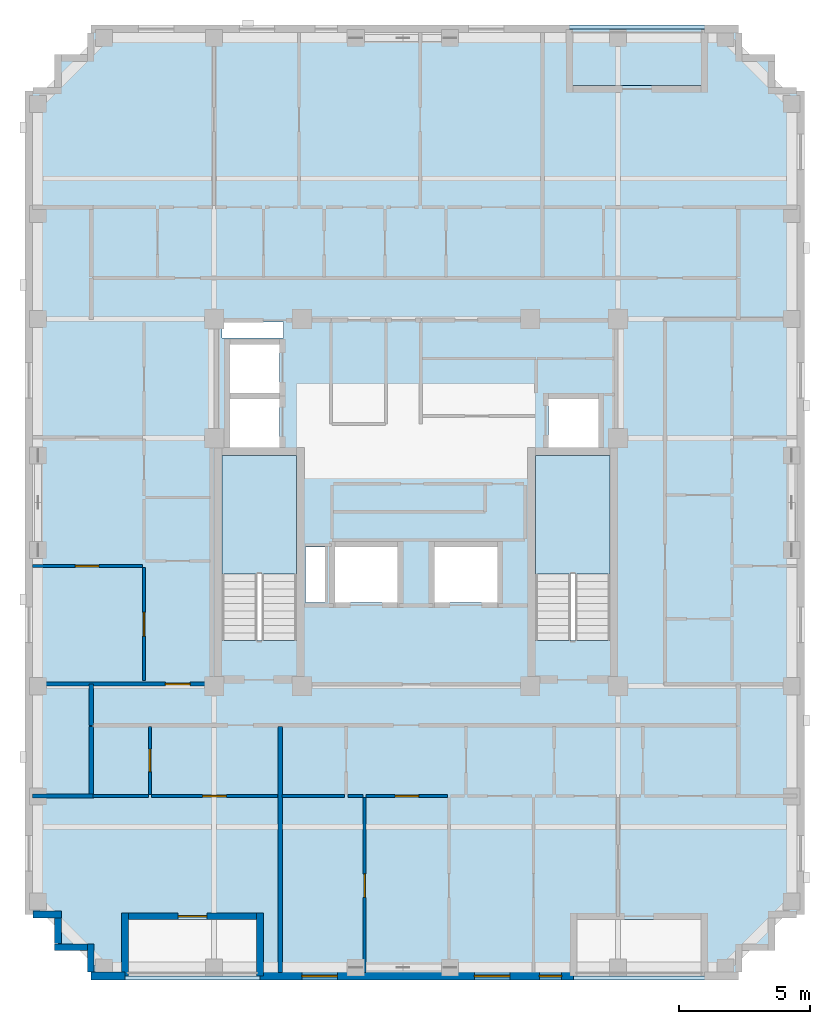
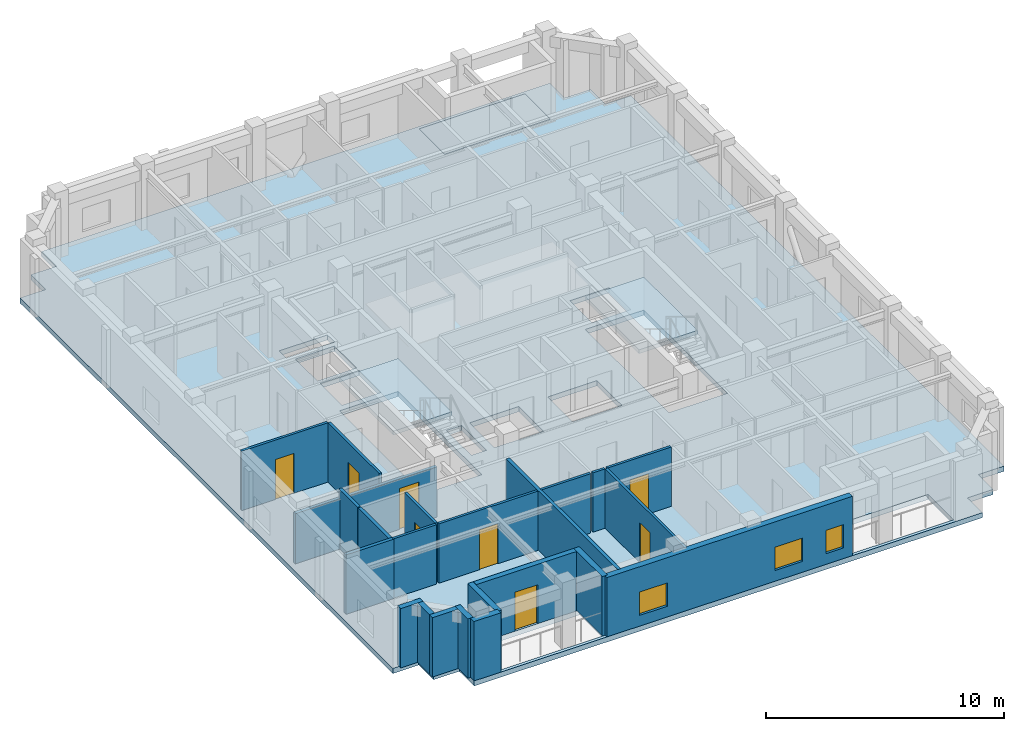
# One storey, part 2 of 11: 23 walls, 8 doors, 4 slabs, 3 windows, 11 openings, 2 elements without a shape of their own.
"""IFC4 building model written with IfcOpenShell, lengths in metres."""

import ifcopenshell
import ifcopenshell.guid

model = None  # the IFC model being written
_history = None  # IfcOwnerHistory: only IFC2X3 demands one
_inside = {}  # id of a spatial element -> (the spatial element, [elements in it])
_under = {}  # id of a project, library or spatial element -> (it, [spatial elements below it])
_declared = {}  # id of a project -> (the project, [libraries it declares])
_typed = {}  # id of a type object -> (the type object, [elements of that type])
_made_of = {}  # id of a material, layer set ... -> (it, [elements and type objects made of it])


def new_model(schema):
    """Start an empty IFC model of exactly this schema.

    Asked for "IFC4X3", IfcOpenShell would pick the latest addendum, in which some entities
    have other attributes; the version numbers below select the first issue.
    IFC2X3 requires an IfcOwnerHistory on every rooted entity: one is made here for all.
    """
    global model, _history
    if schema == "IFC4X3":
        model = ifcopenshell.file(schema_version=(4, 3, 0, 0))
    else:
        model = ifcopenshell.file(schema=schema)
    _inside.clear()
    _under.clear()
    _declared.clear()
    _typed.clear()
    _made_of.clear()
    _history = None
    if model.schema == "IFC2X3":
        org = make("IfcOrganization", Name="unknown")
        user = make(
            "IfcPersonAndOrganization",
            ThePerson=make("IfcPerson", FamilyName="unknown"),
            TheOrganization=org,
        )
        app = make(
            "IfcApplication",
            ApplicationDeveloper=org,
            Version="unknown",
            ApplicationFullName="unknown",
            ApplicationIdentifier="unknown",
        )
        _history = make(
            "IfcOwnerHistory",
            OwningUser=user,
            OwningApplication=app,
            ChangeAction="ADDED",
            CreationDate=0,
        )
    return model


def make(cls, **values):
    """One entity of the class cls with the attributes given. An attribute that is None is left unset."""
    return model.create_entity(
        cls, **{name: value for name, value in values.items() if value is not None}
    )


def rooted(cls, **values):
    """An entity with a GlobalId (a new one), such as an element, a storey or a relation."""
    return make(cls, GlobalId=ifcopenshell.guid.new(), OwnerHistory=_history, **values)


def si_unit(unit_type, name, prefix=None):
    """IfcSIUnit, for example si_unit("LENGTHUNIT", "METRE", prefix="MILLI")."""
    return make("IfcSIUnit", UnitType=unit_type, Prefix=prefix, Name=name)


def derived_unit(unit_type, elements):
    """IfcDerivedUnit: a product of units, each with its exponent."""
    return make(
        "IfcDerivedUnit",
        Elements=[
            make("IfcDerivedUnitElement", Unit=unit, Exponent=power)
            for unit, power in elements
        ],
        UnitType=unit_type,
    )


def assignment(units):
    """IfcUnitAssignment: the units of a project."""
    return None if units is None else make("IfcUnitAssignment", Units=units)


def point(xyz):
    """IfcCartesianPoint."""
    return None if xyz is None else make("IfcCartesianPoint", Coordinates=xyz)


def direction(xyz):
    """IfcDirection."""
    return None if xyz is None else make("IfcDirection", DirectionRatios=xyz)


def frame(location, z_axis=None, x_axis=None):
    """IfcAxis2Placement3D, a coordinate frame: its origin and axes. An axis left out is left unset."""
    return make(
        "IfcAxis2Placement3D",
        Location=point(location),
        Axis=direction(z_axis),
        RefDirection=direction(x_axis),
    )


def frame_2d(location, x_axis=None):
    """IfcAxis2Placement2D, a coordinate frame in the plane: its origin and x axis."""
    return make(
        "IfcAxis2Placement2D", Location=point(location), RefDirection=direction(x_axis)
    )


def origin():
    """The frame at (0, 0, 0) with its axes left unset."""
    return frame((0.0, 0.0, 0.0))


def place(relative_to, where):
    """IfcLocalPlacement: puts the frame where relative to a parent placement (None: the world)."""
    return make(
        "IfcLocalPlacement", PlacementRelTo=relative_to, RelativePlacement=where
    )


def context(
    kind, dimensions, precision=None, world=None, true_north=None, identifier=None
):
    """IfcGeometricRepresentationContext, for example the 3D "Model" context."""
    return make(
        "IfcGeometricRepresentationContext",
        ContextIdentifier=identifier,
        ContextType=kind,
        CoordinateSpaceDimension=dimensions,
        Precision=precision,
        WorldCoordinateSystem=world,
        TrueNorth=true_north,
    )


def subcontext(parent, identifier, kind, view, scale=None):
    """IfcGeometricRepresentationSubContext, for example "Body" below "Model"."""
    return make(
        "IfcGeometricRepresentationSubContext",
        ContextIdentifier=identifier,
        ContextType=kind,
        ParentContext=parent,
        TargetScale=scale,
        TargetView=view,
    )


def project(units=None, contexts=None):
    """IfcProject with its units and contexts."""
    return rooted(
        "IfcProject",
        Name="project",
        RepresentationContexts=contexts,
        UnitsInContext=assignment(units),
    )


def spatial(cls, under=None, at=None, **own):
    """A site, building, storey or space (cls), placed at a placement, below another one or the project."""
    s = rooted(cls, ObjectPlacement=at, **own)
    if under is not None:
        _under.setdefault(under.id(), (under, []))[1].append(s)
    return s


def polyline(points):
    """IfcPolyline through the points."""
    return make("IfcPolyline", Points=[point(p) for p in points])


def profile(cls, at=None, kind="AREA", **sizes):
    """A parametric profile (cls). Its sizes go by their IFC names, for example OverallWidth=200.0."""
    return make(cls, ProfileType=kind, Position=at, **sizes)


def rectangle(**sizes):
    """IfcRectangleProfileDef."""
    return profile("IfcRectangleProfileDef", **sizes)


def outline(outer, holes=None, kind="AREA"):
    """IfcArbitraryClosedProfileDef: a profile drawn as a closed curve; with holes, ...WithVoids."""
    if holes is None:
        return make("IfcArbitraryClosedProfileDef", ProfileType=kind, OuterCurve=outer)
    return make(
        "IfcArbitraryProfileDefWithVoids",
        ProfileType=kind,
        OuterCurve=outer,
        InnerCurves=holes,
    )


def extrude(swept, where, along, depth):
    """IfcExtrudedAreaSolid: the profile swept, set in the frame where, extruded along a direction by depth."""
    return make(
        "IfcExtrudedAreaSolid",
        SweptArea=swept,
        Position=where,
        ExtrudedDirection=direction(along),
        Depth=depth,
    )


def shape(context_of_items, identifier, shape_type, items):
    """IfcShapeRepresentation: the items that make up one representation, for example the "Body"."""
    return make(
        "IfcShapeRepresentation",
        ContextOfItems=context_of_items,
        RepresentationIdentifier=identifier,
        RepresentationType=shape_type,
        Items=items,
    )


def material(Name=None, Category=None):
    """IfcMaterial."""
    return make("IfcMaterial", Name=Name, Category=Category)


def layer(
    of_material, thickness, ventilated=None, Name=None, Category=None, Priority=None
):
    """IfcMaterialLayer: one layer of a wall or slab, of a material (None: an air gap)."""
    return make(
        "IfcMaterialLayer",
        Material=of_material,
        LayerThickness=thickness,
        IsVentilated=ventilated,
        Name=Name,
        Category=Category,
        Priority=Priority,
    )


def layer_set(layers, Name=None):
    """IfcMaterialLayerSet."""
    return make("IfcMaterialLayerSet", MaterialLayers=layers, LayerSetName=Name)


def made_of(thing, what):
    """Note that an element or type object is made of a material, layer set ...; save() writes the relation."""
    if what is not None:
        _made_of.setdefault(what.id(), (what, []))[1].append(thing)
    return thing


def type_object(cls, material=None, **own):
    """A type object (cls), such as IfcWallType, which elements share."""
    return made_of(rooted(cls, **own), material)


def element(
    cls,
    number,
    at=None,
    inside=None,
    cuts=None,
    type_object=None,
    material=None,
    context=None,
    identifier="Body",
    shape_type=None,
    held_by="IfcProductDefinitionShape",
    body=None,
    shapes=None,
    **own,
):
    """One element of the class cls, such as IfcWall. Its Tag is "e" and its number.

    at: its placement. inside: the storey or other place that contains it. cuts: it is an
    opening in that element (IfcRelVoidsElement). A single representation is given by context,
    identifier, shape_type and body (its items); several are given by shapes. held_by: the class
    of the entity that holds the representations. save() writes the other relations.
    """
    e = rooted(cls, Tag="e%d" % number, ObjectPlacement=at, **own)
    if body is not None:
        shapes = [shape(context, identifier, shape_type, body)]
    if shapes is not None:
        e.Representation = make(held_by, Representations=shapes)
    if inside is not None:
        _inside.setdefault(inside.id(), (inside, []))[1].append(e)
    if cuts is not None:
        rooted(
            "IfcRelVoidsElement", RelatingBuildingElement=cuts, RelatedOpeningElement=e
        )
    if type_object is not None:
        _typed.setdefault(type_object.id(), (type_object, []))[1].append(e)
    return made_of(e, material)


def fill(opening, filler):
    """IfcRelFillsElement: the door or window that sits in an opening."""
    return rooted(
        "IfcRelFillsElement",
        RelatingOpeningElement=opening,
        RelatedBuildingElement=filler,
    )


def aggregate(whole, parts):
    """IfcRelAggregates: a whole, such as a stair, and the parts it consists of."""
    return rooted("IfcRelAggregates", RelatingObject=whole, RelatedObjects=parts)


def save(model, path):
    """Write the relations noted so far, then the file.

    IfcRelAggregates (storeys below a building ...), IfcRelContainedInSpatialStructure (elements
    in a storey), IfcRelDefinesByType, IfcRelAssociatesMaterial and IfcRelDeclares: one each for
    every whole, place, type object, material and project.
    """
    for whole, parts in _under.values():
        aggregate(whole, parts)
    for where, things in _inside.values():
        rooted(
            "IfcRelContainedInSpatialStructure",
            RelatedElements=things,
            RelatingStructure=where,
        )
    for kind, things in _typed.values():
        rooted("IfcRelDefinesByType", RelatedObjects=things, RelatingType=kind)
    for what, things in _made_of.values():
        rooted("IfcRelAssociatesMaterial", RelatedObjects=things, RelatingMaterial=what)
    for by, libraries in _declared.values():
        rooted("IfcRelDeclares", RelatingContext=by, RelatedDefinitions=libraries)
    model.write(path)


model = new_model("IFC4")

# Units and contexts
model_context = context("Model", 3, precision=1e-05, world=origin(), true_north=direction((0.0, 1.0)))
body_context = subcontext(model_context, "Body", "Model", "MODEL_VIEW")
ifc_project = project(units=[si_unit("LENGTHUNIT", "METRE"), si_unit("AREAUNIT", "SQUARE_METRE"), si_unit("VOLUMEUNIT", "CUBIC_METRE"), si_unit("PLANEANGLEUNIT", "RADIAN"), si_unit("MASSUNIT", "GRAM", prefix="KILO"), derived_unit("THERMALTRANSMITTANCEUNIT", [(si_unit("MASSUNIT", "GRAM", prefix="KILO"), 1), (si_unit("TIMEUNIT", "SECOND"), -3), (si_unit("THERMODYNAMICTEMPERATUREUNIT", "KELVIN"), -1)])], contexts=[model_context])

# Site, building, storey
site_placement = place(None, origin())
site = spatial("IfcSite", under=ifc_project, at=site_placement, CompositionType="ELEMENT")
building_placement = place(site_placement, origin())
building = spatial("IfcBuilding", under=site, at=building_placement, Name="Korrvale Station Residences", CompositionType="ELEMENT")
storey_placement = place(building_placement, frame((0.0, 0.0, 258.10009765625)))
storey = spatial("IfcBuildingStorey", under=building, at=storey_placement, Name="L75", CompositionType="ELEMENT", Elevation=258.10009765625)

# Slabs
ifc_material_1 = material(Name="Concrete C50/60", Category="concrete")
ifc_layer_1 = layer(ifc_material_1, 0.219970703125, Name="Concrete C50/60")
ifc_layer_set_1 = layer_set([ifc_layer_1], Name="Concrete C50/60")
slab_type_1 = type_object("IfcSlabType", Name="SLB-BAL-220", PredefinedType="FLOOR", material=ifc_layer_set_1)
slab_1_placement = place(storey_placement, frame((0.0, 0.0, -0.22021484375)))
element("IfcSlab", 1, at=slab_1_placement, inside=storey, type_object=slab_type_1, Name="L75 Recessed Loggia Balcony Slab BAL-L75-N1", PredefinedType="FLOOR", context=body_context, shape_type="SweptSolid", body=[
    extrude(outline(polyline([(31.35009765625, 37.89990234375), (36.5, 37.89990234375), (36.5, 40.050048828125), (31.35009765625, 40.050048828125), (31.35009765625, 37.89990234375)])), origin(), (0.0, 0.0, 1.0), 0.22021484375),
])
ifc_layer_2 = layer(ifc_material_1, 0.260009765625, Name="Concrete C50/60")
ifc_layer_set_2 = layer_set([ifc_layer_2], Name="Concrete C50/60")
slab_type_2 = type_object("IfcSlabType", Name="SLB-FLR-260", PredefinedType="FLOOR", material=ifc_layer_set_2)
slab_2_placement = place(storey_placement, frame((0.0, 0.0, -0.260009765625)))
element("IfcSlab", 2, at=slab_2_placement, inside=storey, type_object=slab_type_2, Name="L75 Suspended Structural Floor Slab", PredefinedType="FLOOR", context=body_context, shape_type="SweptSolid", body=[
    extrude(outline(polyline([(13.10009765625, 3.800048828125), (37.800048828125, 3.800048828125), (37.800048828125, 5.050048828125), (39.050048828125, 5.050048828125), (39.050048828125, 6.300048828125), (40.300048828125, 6.300048828125), (40.300048828125, 37.699951171875), (39.050048828125, 37.699951171875), (39.050048828125, 38.949951171875), (37.800048828125, 38.949951171875), (37.800048828125, 40.199951171875), (13.10009765625, 40.199951171875), (13.10009765625, 38.949951171875), (11.85009765625, 38.949951171875), (11.85009765625, 37.699951171875), (10.60009765625, 37.699951171875), (10.60009765625, 6.300048828125), (11.85009765625, 6.300048828125), (11.85009765625, 5.050048828125), (13.10009765625, 5.050048828125), (13.10009765625, 3.800048828125)]), holes=[polyline([(20.949951171875, 16.751953125), (20.949951171875, 23.800048828125), (18.10009765625, 23.800048828125), (18.10009765625, 16.751953125), (20.949951171875, 16.751953125)]), polyline([(32.89990234375, 16.751953125), (32.89990234375, 23.800048828125), (30.050048828125, 23.800048828125), (30.050048828125, 16.751953125), (32.89990234375, 16.751953125)]), polyline([(18.39990234375, 24.10009765625), (20.300048828125, 24.10009765625), (20.300048828125, 25.949951171875), (18.39990234375, 25.949951171875), (18.39990234375, 24.10009765625)]), polyline([(18.39990234375, 26.169921875), (20.300048828125, 26.169921875), (20.300048828125, 28.02001953125), (18.39990234375, 28.02001953125), (18.39990234375, 26.169921875)]), polyline([(30.550048828125, 24.10009765625), (32.449951171875, 24.10009765625), (32.449951171875, 25.949951171875), (30.550048828125, 25.949951171875), (30.550048828125, 24.10009765625)]), polyline([(22.39990234375, 18.199951171875), (24.800048828125, 18.199951171875), (24.800048828125, 20.300048828125), (22.39990234375, 20.300048828125), (22.39990234375, 18.199951171875)]), polyline([(26.199951171875, 18.199951171875), (28.60009765625, 18.199951171875), (28.60009765625, 20.300048828125), (26.199951171875, 20.300048828125), (26.199951171875, 18.199951171875)]), polyline([(18.10009765625, 28.280029296875), (20.449951171875, 28.280029296875), (20.449951171875, 28.8798828125), (18.10009765625, 28.8798828125), (18.10009765625, 28.280029296875)]), polyline([(21.280029296875, 18.199951171875), (22.02001953125, 18.199951171875), (22.02001953125, 20.300048828125), (21.280029296875, 20.300048828125), (21.280029296875, 18.199951171875)]), polyline([(14.39990234375, 3.949951171875), (19.550048828125, 3.949951171875), (19.550048828125, 6.10009765625), (14.39990234375, 6.10009765625), (14.39990234375, 3.949951171875)]), polyline([(31.35009765625, 37.89990234375), (36.5, 37.89990234375), (36.5, 40.050048828125), (31.35009765625, 40.050048828125), (31.35009765625, 37.89990234375)]), polyline([(31.5, 3.949951171875), (36.5, 3.949951171875), (36.5, 6.10009765625), (31.5, 6.10009765625), (31.5, 3.949951171875)])]), origin(), (0.0, 0.0, 1.0), 0.260009765625),
])

# Stair, slab
stair_type = type_object("IfcStairType", Name="STR-DL-1350-20R-1700", PredefinedType="HALF_TURN_STAIR", material=ifc_material_1)
stair_1_placement = place(storey_placement, origin())
stair_1 = element("IfcStair", 3, at=stair_1_placement, inside=storey, type_object=stair_type, Name="L75 Exit Stair 1", PredefinedType="HALF_TURN_STAIR")
ifc_layer_3 = layer(ifc_material_1, 0.199951171875, Name="Concrete C50/60")
ifc_layer_set_3 = layer_set([ifc_layer_3], Name="Concrete C50/60")
slab_type_3 = type_object("IfcSlabType", Name="SLB-LND-200", PredefinedType="LANDING", material=ifc_layer_set_3)
slab_3_placement = place(storey_placement, frame((0.0, 0.0, 1.5)))
slab_3 = element("IfcSlab", 4, at=slab_3_placement, type_object=slab_type_3, Name="ST-1 landing 1", PredefinedType="LANDING", context=body_context, shape_type="SweptSolid", body=[
    extrude(outline(polyline([(20.949951171875, 19.27001953125), (20.949951171875, 23.800048828125), (18.10009765625, 23.800048828125), (18.10009765625, 19.27001953125), (20.949951171875, 19.27001953125)])), origin(), (0.0, 0.0, 1.0), 0.199951171875),
])
aggregate(stair_1, [slab_3])

stair_2_placement = place(storey_placement, origin())
stair_2 = element("IfcStair", 5, at=stair_2_placement, inside=storey, type_object=stair_type, Name="L75 Exit Stair 2", PredefinedType="HALF_TURN_STAIR")
slab_4_placement = place(storey_placement, frame((0.0, 0.0, 1.5)))
slab_4 = element("IfcSlab", 6, at=slab_4_placement, type_object=slab_type_3, Name="ST-2 landing 1", PredefinedType="LANDING", context=body_context, shape_type="SweptSolid", body=[
    extrude(outline(polyline([(32.89990234375, 19.27001953125), (32.89990234375, 23.800048828125), (30.050048828125, 23.800048828125), (30.050048828125, 19.27001953125), (32.89990234375, 19.27001953125)])), origin(), (0.0, 0.0, 1.0), 0.199951171875),
])
aggregate(stair_2, [slab_4])

# Wall
ifc_material_2 = material(Name="Precast concrete C45/55", Category="concrete")
ifc_layer_4 = layer(ifc_material_2, 0.260009765625, Name="Precast concrete C45/55")
ifc_layer_set_4 = layer_set([ifc_layer_4], Name="Precast concrete C45/55")
wall_type_1 = type_object("IfcWallType", Name="WAL-EXT-LOG260", PredefinedType="SOLIDWALL", material=ifc_layer_set_4)
wall_1_placement = place(storey_placement, frame((19.550048828125, 3.9599609375, 0.0), z_axis=(0.0, 0.0, 1.0), x_axis=(0.0, 1.0, 0.0)))
element("IfcWall", 7, at=wall_1_placement, inside=storey, type_object=wall_type_1, Name="L75 Recessed Loggia Wall BAL-L75-S1-L", PredefinedType="SOLIDWALL", context=body_context, shape_type="SweptSolid", body=[
    extrude(rectangle(XDim=2.400146484375, YDim=0.260009765625, at=frame_2d((1.2001953125, 0.0))), origin(), (0.0, 0.0, 1.0), 3.0498046875),
])

# Wall, opening, door
wall_2_placement = place(storey_placement, frame((19.416015625, 6.22998046875, 0.0), z_axis=(0.0, 0.0, 1.0), x_axis=(-1.0, 0.0, 0.0)))
wall_2 = element("IfcWall", 8, at=wall_2_placement, inside=storey, type_object=wall_type_1, Name="L75 Recessed Loggia Wall BAL-L75-S1-B", PredefinedType="SOLIDWALL", context=body_context, shape_type="SweptSolid", body=[
    extrude(rectangle(XDim=4.882080078125, YDim=0.260009765625, at=frame_2d((2.44091796875, 0.0))), origin(), (0.0, 0.0, 1.0), 3.0498046875),
])
opening_1_placement = place(wall_2_placement, frame((1.89111328125, 0.0, 0.0)))
opening_1 = element("IfcOpeningElement", 9, at=opening_1_placement, cuts=wall_2, Name="Opening BD-01", PredefinedType="OPENING", context=body_context, shape_type="SweptSolid", body=[
    extrude(rectangle(XDim=1.10009765625, YDim=2.0, at=frame_2d((0.550048828125, 1.0))), frame((0.0, 0.14013671875, 0.0), z_axis=(0.0, -1.0, 0.0), x_axis=(1.0, 0.0, 0.0)), (0.0, 0.0, 1.0), 0.280029296875),
])
ifc_material_3 = material(Name="Exterior thermally broken aluminium glazed balcony door", Category="aluminium")
door_type_1 = type_object("IfcDoorType", Name="DR-EXT-BAL", OperationType="NOTDEFINED", PredefinedType="DOOR", material=ifc_material_3)
door_1_placement = place(opening_1_placement, origin())
door_1 = element("IfcDoor", 10, at=door_1_placement, inside=storey, type_object=door_type_1, Name="L75 Loggia Balcony Door BAL-L75-S1", OperationType="SINGLE_SWING_RIGHT", OverallHeight=2.0, OverallWidth=1.10009765625, PredefinedType="DOOR", context=body_context, shape_type="SweptSolid", body=[
    extrude(rectangle(XDim=1.10009765625, YDim=2.0, at=frame_2d((0.550048828125, 1.0))), frame((0.0, 0.02490234375, 0.0), z_axis=(0.0, -1.0, 0.0), x_axis=(1.0, 0.0, 0.0)), (0.0, 0.0, 1.0), 0.050048828125),
])
fill(opening_1, door_1)

# Walls
wall_3_placement = place(storey_placement, frame((14.39990234375, 6.360107421875, 0.0), z_axis=(0.0, 0.0, 1.0), x_axis=(0.0, -1.0, 0.0)))
element("IfcWall", 11, at=wall_3_placement, inside=storey, type_object=wall_type_1, Name="L75 Recessed Loggia Wall BAL-L75-S1-R", PredefinedType="SOLIDWALL", context=body_context, shape_type="SweptSolid", body=[
    extrude(rectangle(XDim=2.400146484375, YDim=0.260009765625, at=frame_2d((1.2001953125, 0.0))), origin(), (0.0, 0.0, 1.0), 3.0498046875),
])
wall_4_placement = place(storey_placement, frame((13.10009765625, 4.10205078125, 0.0), z_axis=(0.0, 0.0, 1.0), x_axis=(0.0, 1.0, 0.0)))
element("IfcWall", 12, at=wall_4_placement, inside=storey, type_object=wall_type_1, Name="L75 Serrated Corner Precast Step SW-1", PredefinedType="SOLIDWALL", context=body_context, shape_type="SweptSolid", body=[
    extrude(rectangle(XDim=1.077880859375, YDim=0.260009765625, at=frame_2d((0.5390625, 0.0))), origin(), (0.0, 0.0, 1.0), 3.0498046875),
])
wall_5_placement = place(storey_placement, frame((12.968017578125, 5.050048828125, 0.0), z_axis=(0.0, 0.0, 1.0), x_axis=(-1.0, 0.0, 0.0)))
element("IfcWall", 13, at=wall_5_placement, inside=storey, type_object=wall_type_1, Name="L75 Serrated Corner Precast Step SW-2", PredefinedType="SOLIDWALL", context=body_context, shape_type="SweptSolid", body=[
    extrude(rectangle(XDim=1.248046875, YDim=0.260009765625, at=frame_2d((0.6240234375, 0.0))), origin(), (0.0, 0.0, 1.0), 3.0498046875),
])
wall_6_placement = place(storey_placement, frame((11.85009765625, 5.181884765625, 0.0), z_axis=(0.0, 0.0, 1.0), x_axis=(0.0, 1.0, 0.0)))
element("IfcWall", 14, at=wall_6_placement, inside=storey, type_object=wall_type_1, Name="L75 Serrated Corner Precast Step SW-3", PredefinedType="SOLIDWALL", context=body_context, shape_type="SweptSolid", body=[
    extrude(rectangle(XDim=0.986083984375, YDim=0.260009765625, at=frame_2d((0.4931640625, 0.0))), origin(), (0.0, 0.0, 1.0), 3.0498046875),
])
wall_7_placement = place(storey_placement, frame((11.97998046875, 6.300048828125, 0.0), z_axis=(0.0, 0.0, 1.0), x_axis=(-1.0, 0.0, 0.0)))
element("IfcWall", 15, at=wall_7_placement, inside=storey, type_object=wall_type_1, Name="L75 Serrated Corner Precast Step SW-4", PredefinedType="SOLIDWALL", context=body_context, shape_type="SweptSolid", body=[
    extrude(rectangle(XDim=1.077880859375, YDim=0.260009765625, at=frame_2d((0.5390625, 0.0))), origin(), (0.0, 0.0, 1.0), 3.0498046875),
])

# Wall, openings, windows
ifc_layer_5 = layer(ifc_material_2, 0.300048828125, Name="Precast concrete C45/55")
ifc_layer_set_5 = layer_set([ifc_layer_5], Name="Precast concrete C45/55")
wall_type_2 = type_object("IfcWallType", Name="WAL-EXT-PC300", PredefinedType="SOLIDWALL", material=ifc_layer_set_5)
wall_8_placement = place(storey_placement, frame((31.5, 3.949951171875, 0.0), z_axis=(0.0, 0.0, 1.0), x_axis=(-1.0, 0.0, 0.0)))
wall_8 = element("IfcWall", 16, at=wall_8_placement, inside=storey, type_object=wall_type_2, Name="L75 South Exterior Precast Wall 2", PredefinedType="SOLIDWALL", context=body_context, shape_type="SweptSolid", body=[
    extrude(rectangle(XDim=11.949951171875, YDim=0.300048828125, at=frame_2d((5.97509765625, 0.0))), origin(), (0.0, 0.0, 1.0), 3.0498046875),
])
opening_2_placement = place(wall_8_placement, frame((9.0, 0.0, 0.550048828125)))
opening_2 = element("IfcOpeningElement", 17, at=opening_2_placement, cuts=wall_8, Name="Opening W-10", PredefinedType="OPENING", context=body_context, shape_type="SweptSolid", body=[
    extrude(rectangle(XDim=1.35009765625, YDim=1.199951171875, at=frame_2d((0.675048828125, 0.60009765625))), frame((0.0, 0.16015625, 0.0), z_axis=(0.0, -1.0, 0.0), x_axis=(1.0, 0.0, 0.0)), (0.0, 0.0, 1.0), 0.320068359375),
])
opening_3_placement = place(wall_8_placement, frame((2.426025390625, 0.0, 0.550048828125)))
opening_3 = element("IfcOpeningElement", 18, at=opening_3_placement, cuts=wall_8, Name="Opening W-10", PredefinedType="OPENING", context=body_context, shape_type="SweptSolid", body=[
    extrude(rectangle(XDim=1.35009765625, YDim=1.199951171875, at=frame_2d((0.675048828125, 0.60009765625))), frame((0.0, 0.16015625, 0.0), z_axis=(0.0, -1.0, 0.0), x_axis=(1.0, 0.0, 0.0)), (0.0, 0.0, 1.0), 0.320068359375),
])
opening_4_placement = place(wall_8_placement, frame((0.449951171875, 0.0, 0.550048828125)))
opening_4 = element("IfcOpeningElement", 19, at=opening_4_placement, cuts=wall_8, Name="Opening W-11", PredefinedType="OPENING", context=body_context, shape_type="SweptSolid", body=[
    extrude(rectangle(XDim=0.85009765625, YDim=1.199951171875, at=frame_2d((0.425048828125, 0.60009765625))), frame((0.0, 0.16015625, 0.0), z_axis=(0.0, -1.0, 0.0), x_axis=(1.0, 0.0, 0.0)), (0.0, 0.0, 1.0), 0.320068359375),
])
ifc_material_4 = material(Name="Thermally broken aluminium frame with triple low-e glazing", Category="aluminium")
window_type_1 = type_object("IfcWindowType", Name="WIN-W10", PartitioningType="SINGLE_PANEL", PredefinedType="WINDOW", material=ifc_material_4)
window_1_placement = place(opening_2_placement, origin())
window_1 = element("IfcWindow", 20, at=window_1_placement, inside=storey, type_object=window_type_1, Name="L75 Punched Window 02", OverallHeight=1.199951171875, OverallWidth=1.35009765625, PartitioningType="SINGLE_PANEL", PredefinedType="WINDOW", context=body_context, shape_type="SweptSolid", body=[
    extrude(rectangle(XDim=1.35009765625, YDim=1.199951171875, at=frame_2d((0.675048828125, 0.60009765625))), frame((0.0, 0.030029296875, 0.0), z_axis=(0.0, -1.0, 0.0), x_axis=(1.0, 0.0, 0.0)), (0.0, 0.0, 1.0), 0.06005859375),
])
fill(opening_2, window_1)
window_2_placement = place(opening_3_placement, origin())
window_2 = element("IfcWindow", 21, at=window_2_placement, inside=storey, type_object=window_type_1, Name="L75 Punched Window 03", OverallHeight=1.199951171875, OverallWidth=1.35009765625, PartitioningType="SINGLE_PANEL", PredefinedType="WINDOW", context=body_context, shape_type="SweptSolid", body=[
    extrude(rectangle(XDim=1.35009765625, YDim=1.199951171875, at=frame_2d((0.675048828125, 0.60009765625))), frame((0.0, 0.030029296875, 0.0), z_axis=(0.0, -1.0, 0.0), x_axis=(1.0, 0.0, 0.0)), (0.0, 0.0, 1.0), 0.06005859375),
])
fill(opening_3, window_2)
window_type_2 = type_object("IfcWindowType", Name="WIN-W11", PartitioningType="SINGLE_PANEL", PredefinedType="WINDOW", material=ifc_material_4)
window_3_placement = place(opening_4_placement, origin())
window_3 = element("IfcWindow", 22, at=window_3_placement, inside=storey, type_object=window_type_2, Name="L75 Punched Window 04", OverallHeight=1.199951171875, OverallWidth=0.85009765625, PartitioningType="SINGLE_PANEL", PredefinedType="WINDOW", context=body_context, shape_type="SweptSolid", body=[
    extrude(rectangle(XDim=0.85009765625, YDim=1.199951171875, at=frame_2d((0.425048828125, 0.60009765625))), frame((0.0, 0.030029296875, 0.0), z_axis=(0.0, -1.0, 0.0), x_axis=(1.0, 0.0, 0.0)), (0.0, 0.0, 1.0), 0.06005859375),
])
fill(opening_4, window_3)

# Wall
wall_9_placement = place(storey_placement, frame((14.39990234375, 3.949951171875, 0.0), z_axis=(0.0, 0.0, 1.0), x_axis=(-1.0, 0.0, 0.0)))
element("IfcWall", 23, at=wall_9_placement, inside=storey, type_object=wall_type_2, Name="L75 South Exterior Precast Wall 3", PredefinedType="SOLIDWALL", context=body_context, shape_type="SweptSolid", body=[
    extrude(rectangle(XDim=1.2998046875, YDim=0.300048828125, at=frame_2d((0.64990234375, 0.0))), origin(), (0.0, 0.0, 1.0), 3.0498046875),
])

# Wall, opening, door
ifc_material_5 = material(Name="Acoustic steel-stud gypsum board partition", Category="steel")
ifc_layer_6 = layer(ifc_material_5, 0.1201171875, Name="Acoustic steel-stud gypsum board partition")
ifc_layer_set_6 = layer_set([ifc_layer_6], Name="Acoustic steel-stud gypsum board partition")
wall_type_3 = type_object("IfcWallType", Name="WAL-PART-125", PredefinedType="PARTITIONING", material=ifc_layer_set_6)
wall_10_placement = place(storey_placement, frame((15.35205078125, 10.8701171875, 0.0), z_axis=(0.0, 0.0, 1.0), x_axis=(0.0, 1.0, 0.0)))
wall_10 = element("IfcWall", 24, at=wall_10_placement, inside=storey, type_object=wall_type_3, Name="L75 Suite Partition U01-V01", PredefinedType="PARTITIONING", context=body_context, shape_type="SweptSolid", body=[
    extrude(rectangle(XDim=2.599853515625, YDim=0.1201171875, at=frame_2d((1.2998046875, 0.0))), origin(), (0.0, 0.0, 1.0), 3.0498046875),
])
opening_5_placement = place(wall_10_placement, frame((0.8701171875, 0.0, 0.0)))
opening_5 = element("IfcOpeningElement", 25, at=opening_5_placement, cuts=wall_10, Name="Opening DB-860", PredefinedType="OPENING", context=body_context, shape_type="SweptSolid", body=[
    extrude(rectangle(XDim=0.860107421875, YDim=2.050048828125, at=frame_2d((0.43017578125, 1.02490234375))), frame((0.0, 0.070068359375, 0.0), z_axis=(0.0, -1.0, 0.0), x_axis=(1.0, 0.0, 0.0)), (0.0, 0.0, 1.0), 0.14013671875),
])
ifc_material_6 = material(Name="Moisture-resistant solid-core bathroom door", Category="timber")
door_type_2 = type_object("IfcDoorType", Name="DR-BATH-860", OperationType="NOTDEFINED", PredefinedType="DOOR", material=ifc_material_6)
door_2_placement = place(opening_5_placement, origin())
door_2 = element("IfcDoor", 26, at=door_2_placement, inside=storey, type_object=door_type_2, Name="L75 Studio Apartment L75-U01 Bathroom Door", OperationType="SINGLE_SWING_RIGHT", OverallHeight=2.050048828125, OverallWidth=0.860107421875, PredefinedType="DOOR", context=body_context, shape_type="SweptSolid", body=[
    extrude(rectangle(XDim=0.860107421875, YDim=2.050048828125, at=frame_2d((0.43017578125, 1.02490234375))), frame((0.0, 0.02490234375, 0.0), z_axis=(0.0, -1.0, 0.0), x_axis=(1.0, 0.0, 0.0)), (0.0, 0.0, 1.0), 0.050048828125),
])
fill(opening_5, door_2)

# Wall
wall_11_placement = place(storey_placement, frame((13.179931640625, 10.81005859375, 0.0), z_axis=(0.0, 0.0, 1.0), x_axis=(1.0, 0.0, 0.0)))
element("IfcWall", 27, at=wall_11_placement, inside=storey, type_object=wall_type_3, Name="L75 Suite Partition U01-H02", PredefinedType="PARTITIONING", context=body_context, shape_type="SweptSolid", body=[
    extrude(rectangle(XDim=2.112060546875, YDim=0.1201171875, at=frame_2d((1.05615234375, 0.0))), origin(), (0.0, 0.0, 1.0), 3.0498046875),
])

# Wall, opening, door
wall_12_placement = place(storey_placement, frame((15.412109375, 10.81005859375, 0.0), z_axis=(0.0, 0.0, 1.0), x_axis=(1.0, 0.0, 0.0)))
wall_12 = element("IfcWall", 28, at=wall_12_placement, inside=storey, type_object=wall_type_3, Name="L75 Suite Partition U01-H12", PredefinedType="PARTITIONING", context=body_context, shape_type="SweptSolid", body=[
    extrude(rectangle(XDim=4.807861328125, YDim=0.1201171875, at=frame_2d((2.40380859375, 0.0))), origin(), (0.0, 0.0, 1.0), 3.0498046875),
])
opening_6_placement = place(wall_12_placement, frame((1.9541015625, 0.0, 0.0)))
opening_6 = element("IfcOpeningElement", 29, at=opening_6_placement, cuts=wall_12, Name="Opening DI-900", PredefinedType="OPENING", context=body_context, shape_type="SweptSolid", body=[
    extrude(rectangle(XDim=0.89990234375, YDim=2.050048828125, at=frame_2d((0.449951171875, 1.02490234375))), frame((0.0, 0.070068359375, 0.0), z_axis=(0.0, -1.0, 0.0), x_axis=(1.0, 0.0, 0.0)), (0.0, 0.0, 1.0), 0.14013671875),
])
ifc_material_7 = material(Name="Painted solid-core timber interior room door", Category="wood")
door_type_3 = type_object("IfcDoorType", Name="DR-INT-900", OperationType="NOTDEFINED", PredefinedType="DOOR", material=ifc_material_7)
door_3_placement = place(opening_6_placement, origin())
door_3 = element("IfcDoor", 30, at=door_3_placement, inside=storey, type_object=door_type_3, Name="L75 Studio Apartment L75-U01 Kitchen Door", OperationType="SINGLE_SWING_LEFT", OverallHeight=2.050048828125, OverallWidth=0.89990234375, PredefinedType="DOOR", context=body_context, shape_type="SweptSolid", body=[
    extrude(rectangle(XDim=0.89990234375, YDim=2.050048828125, at=frame_2d((0.449951171875, 1.02490234375))), frame((0.0, 0.02490234375, 0.0), z_axis=(0.0, -1.0, 0.0), x_axis=(1.0, 0.0, 0.0)), (0.0, 0.0, 1.0), 0.050048828125),
])
fill(opening_6, door_3)

# Walls
wall_13_placement = place(storey_placement, frame((20.3798828125, 10.81005859375, 0.0), z_axis=(0.0, 0.0, 1.0), x_axis=(1.0, 0.0, 0.0)))
element("IfcWall", 31, at=wall_13_placement, inside=storey, type_object=wall_type_3, Name="L75 Suite Partition U02-H05", PredefinedType="PARTITIONING", context=body_context, shape_type="SweptSolid", body=[
    extrude(rectangle(XDim=2.400146484375, YDim=0.1201171875, at=frame_2d((1.2001953125, 0.0))), origin(), (0.0, 0.0, 1.0), 3.0498046875),
])
wall_14_placement = place(storey_placement, frame((22.89990234375, 10.81005859375, 0.0), z_axis=(0.0, 0.0, 1.0), x_axis=(1.0, 0.0, 0.0)))
element("IfcWall", 32, at=wall_14_placement, inside=storey, type_object=wall_type_3, Name="L75 Suite Partition U02-H15", PredefinedType="PARTITIONING", context=body_context, shape_type="SweptSolid", body=[
    extrude(rectangle(XDim=0.580078125, YDim=0.1201171875, at=frame_2d((0.2900390625, 0.0))), origin(), (0.0, 0.0, 1.0), 3.0498046875),
])

# Wall, opening, door
wall_15_placement = place(storey_placement, frame((23.60009765625, 10.81005859375, 0.0), z_axis=(0.0, 0.0, 1.0), x_axis=(1.0, 0.0, 0.0)))
wall_15 = element("IfcWall", 33, at=wall_15_placement, inside=storey, type_object=wall_type_3, Name="L75 Suite Partition U02-H16", PredefinedType="PARTITIONING", context=body_context, shape_type="SweptSolid", body=[
    extrude(rectangle(XDim=3.099853515625, YDim=0.1201171875, at=frame_2d((1.5498046875, 0.0))), origin(), (0.0, 0.0, 1.0), 3.0498046875),
])
opening_7_placement = place(wall_15_placement, frame((1.10009765625, 0.0, 0.0)))
opening_7 = element("IfcOpeningElement", 34, at=opening_7_placement, cuts=wall_15, Name="Opening DI-900", PredefinedType="OPENING", context=body_context, shape_type="SweptSolid", body=[
    extrude(rectangle(XDim=0.89990234375, YDim=2.050048828125, at=frame_2d((0.449951171875, 1.02490234375))), frame((0.0, 0.070068359375, 0.0), z_axis=(0.0, -1.0, 0.0), x_axis=(1.0, 0.0, 0.0)), (0.0, 0.0, 1.0), 0.14013671875),
])
door_4_placement = place(opening_7_placement, origin())
door_4 = element("IfcDoor", 35, at=door_4_placement, inside=storey, type_object=door_type_3, Name="L75 Studio Apartment L75-U02 Kitchen Door", OperationType="SINGLE_SWING_RIGHT", OverallHeight=2.050048828125, OverallWidth=0.89990234375, PredefinedType="DOOR", context=body_context, shape_type="SweptSolid", body=[
    extrude(rectangle(XDim=0.89990234375, YDim=2.050048828125, at=frame_2d((0.449951171875, 1.02490234375))), frame((0.0, 0.02490234375, 0.0), z_axis=(0.0, -1.0, 0.0), x_axis=(1.0, 0.0, 0.0)), (0.0, 0.0, 1.0), 0.050048828125),
])
fill(opening_7, door_4)

wall_16_placement = place(storey_placement, frame((23.5400390625, 4.080078125, 0.0), z_axis=(0.0, 0.0, 1.0), x_axis=(0.0, 1.0, 0.0)))
wall_16 = element("IfcWall", 36, at=wall_16_placement, inside=storey, type_object=wall_type_3, Name="L75 Suite Partition U02-V56", PredefinedType="PARTITIONING", context=body_context, shape_type="SweptSolid", body=[
    extrude(rectangle(XDim=6.669921875, YDim=0.1201171875, at=frame_2d((3.3349609375, 0.0))), origin(), (0.0, 0.0, 1.0), 3.0498046875),
])
opening_8_placement = place(wall_16_placement, frame((2.8701171875, 0.0, 0.0)))
opening_8 = element("IfcOpeningElement", 37, at=opening_8_placement, cuts=wall_16, Name="Opening DI-900", PredefinedType="OPENING", context=body_context, shape_type="SweptSolid", body=[
    extrude(rectangle(XDim=0.89990234375, YDim=2.050048828125, at=frame_2d((0.449951171875, 1.02490234375))), frame((0.0, 0.070068359375, 0.0), z_axis=(0.0, -1.0, 0.0), x_axis=(1.0, 0.0, 0.0)), (0.0, 0.0, 1.0), 0.14013671875),
])
door_5_placement = place(opening_8_placement, origin())
door_5 = element("IfcDoor", 38, at=door_5_placement, inside=storey, type_object=door_type_3, Name="L75 Studio Apartment L75-U02 Formal Dining Room Door", OperationType="SINGLE_SWING_RIGHT", OverallHeight=2.050048828125, OverallWidth=0.89990234375, PredefinedType="DOOR", context=body_context, shape_type="SweptSolid", body=[
    extrude(rectangle(XDim=0.89990234375, YDim=2.050048828125, at=frame_2d((0.449951171875, 1.02490234375))), frame((0.0, 0.02490234375, 0.0), z_axis=(0.0, -1.0, 0.0), x_axis=(1.0, 0.0, 0.0)), (0.0, 0.0, 1.0), 0.050048828125),
])
fill(opening_8, door_5)

wall_17_placement = place(storey_placement, frame((15.1298828125, 15.2099609375, 0.0), z_axis=(0.0, 0.0, 1.0), x_axis=(0.0, 1.0, 0.0)))
wall_17 = element("IfcWall", 39, at=wall_17_placement, inside=storey, type_object=wall_type_3, Name="L75 Suite Partition U05-V23", PredefinedType="PARTITIONING", context=body_context, shape_type="SweptSolid", body=[
    extrude(rectangle(XDim=4.30810546875, YDim=0.1201171875, at=frame_2d((2.154052734375, 0.0))), origin(), (0.0, 0.0, 1.0), 3.0498046875),
])
opening_9_placement = place(wall_17_placement, frame((1.7041015625, 0.0, 0.0)))
opening_9 = element("IfcOpeningElement", 40, at=opening_9_placement, cuts=wall_17, Name="Opening DI-900", PredefinedType="OPENING", context=body_context, shape_type="SweptSolid", body=[
    extrude(rectangle(XDim=0.89990234375, YDim=2.050048828125, at=frame_2d((0.449951171875, 1.02490234375))), frame((0.0, 0.070068359375, 0.0), z_axis=(0.0, -1.0, 0.0), x_axis=(1.0, 0.0, 0.0)), (0.0, 0.0, 1.0), 0.14013671875),
])
door_6_placement = place(opening_9_placement, origin())
door_6 = element("IfcDoor", 41, at=door_6_placement, inside=storey, type_object=door_type_3, Name="L75 Apartment 2BR L75-U05 Kitchen Door", OperationType="SINGLE_SWING_RIGHT", OverallHeight=2.050048828125, OverallWidth=0.89990234375, PredefinedType="DOOR", context=body_context, shape_type="SweptSolid", body=[
    extrude(rectangle(XDim=0.89990234375, YDim=2.050048828125, at=frame_2d((0.449951171875, 1.02490234375))), frame((0.0, 0.02490234375, 0.0), z_axis=(0.0, -1.0, 0.0), x_axis=(1.0, 0.0, 0.0)), (0.0, 0.0, 1.0), 0.050048828125),
])
fill(opening_9, door_6)

wall_18_placement = place(storey_placement, frame((10.8798828125, 19.577880859375, 0.0), z_axis=(0.0, 0.0, 1.0), x_axis=(1.0, 0.0, 0.0)))
wall_18 = element("IfcWall", 42, at=wall_18_placement, inside=storey, type_object=wall_type_3, Name="L75 Suite Partition U05-H34", PredefinedType="PARTITIONING", context=body_context, shape_type="SweptSolid", body=[
    extrude(rectangle(XDim=4.190185546875, YDim=0.1201171875, at=frame_2d((2.09521484375, 0.0))), origin(), (0.0, 0.0, 1.0), 3.0498046875),
])
opening_10_placement = place(wall_18_placement, frame((1.6298828125, 0.0, 0.0)))
opening_10 = element("IfcOpeningElement", 43, at=opening_10_placement, cuts=wall_18, Name="Opening DI-900", PredefinedType="OPENING", context=body_context, shape_type="SweptSolid", body=[
    extrude(rectangle(XDim=0.89990234375, YDim=2.050048828125, at=frame_2d((0.449951171875, 1.02490234375))), frame((0.0, 0.070068359375, 0.0), z_axis=(0.0, -1.0, 0.0), x_axis=(1.0, 0.0, 0.0)), (0.0, 0.0, 1.0), 0.14013671875),
])
door_7_placement = place(opening_10_placement, origin())
door_7 = element("IfcDoor", 44, at=door_7_placement, inside=storey, type_object=door_type_3, Name="L75 Apartment 2BR L75-U05 Bedroom 1 Door", OperationType="SINGLE_SWING_LEFT", OverallHeight=2.050048828125, OverallWidth=0.89990234375, PredefinedType="DOOR", context=body_context, shape_type="SweptSolid", body=[
    extrude(rectangle(XDim=0.89990234375, YDim=2.050048828125, at=frame_2d((0.449951171875, 1.02490234375))), frame((0.0, 0.02490234375, 0.0), z_axis=(0.0, -1.0, 0.0), x_axis=(1.0, 0.0, 0.0)), (0.0, 0.0, 1.0), 0.050048828125),
])
fill(opening_10, door_7)

# Walls
ifc_material_8 = material(Name="Fire-rated twin-stud gypsum and mineral wool shaftwall assembly", Category="gypsum")
ifc_layer_7 = layer(ifc_material_8, 0.159912109375, Name="Fire-rated twin-stud gypsum and mineral wool shaftwall assembly")
ifc_layer_set_7 = layer_set([ifc_layer_7], Name="Fire-rated twin-stud gypsum and mineral wool shaftwall assembly")
wall_type_4 = type_object("IfcWallType", Name="WAL-PART-200", PredefinedType="PARTITIONING", material=ifc_layer_set_7)
wall_19_placement = place(storey_placement, frame((13.1201171875, 13.510009765625, 0.0), z_axis=(0.0, 0.0, 1.0), x_axis=(0.0, 1.0, 0.0)))
element("IfcWall", 45, at=wall_19_placement, inside=storey, type_object=wall_type_4, Name="L75 Corridor South West Cap", PredefinedType="PARTITIONING", context=body_context, shape_type="SweptSolid", body=[
    extrude(rectangle(XDim=1.580078125, YDim=0.159912109375, at=frame_2d((0.7900390625, 0.0))), origin(), (0.0, 0.0, 1.0), 3.0498046875),
])
wall_20_placement = place(storey_placement, frame((10.8798828125, 10.81005859375, 0.0), z_axis=(0.0, 0.0, 1.0), x_axis=(1.0, 0.0, 0.0)))
element("IfcWall", 46, at=wall_20_placement, inside=storey, type_object=wall_type_4, Name="L75 Corner Step Wall U01-L", PredefinedType="PARTITIONING", context=body_context, shape_type="SweptSolid", body=[
    extrude(rectangle(XDim=2.340087890625, YDim=0.159912109375, at=frame_2d((1.169921875, 0.0))), origin(), (0.0, 0.0, 1.0), 3.0498046875),
])
wall_21_placement = place(storey_placement, frame((13.1201171875, 10.81005859375, 0.0), z_axis=(0.0, 0.0, 1.0), x_axis=(0.0, 1.0, 0.0)))
element("IfcWall", 47, at=wall_21_placement, inside=storey, type_object=wall_type_4, Name="L75 Corner Step Cheek U01-L", PredefinedType="PARTITIONING", context=body_context, shape_type="SweptSolid", body=[
    extrude(rectangle(XDim=2.659912109375, YDim=0.159912109375, at=frame_2d((1.330078125, 0.0))), origin(), (0.0, 0.0, 1.0), 3.0498046875),
])
wall_22_placement = place(storey_placement, frame((20.320068359375, 4.080078125, 0.0), z_axis=(0.0, 0.0, 1.0), x_axis=(0.0, 1.0, 0.0)))
element("IfcWall", 48, at=wall_22_placement, inside=storey, type_object=wall_type_4, Name="L75 Demising Wall U02-W", PredefinedType="PARTITIONING", context=body_context, shape_type="SweptSolid", body=[
    extrude(rectangle(XDim=9.389892578125, YDim=0.159912109375, at=frame_2d((4.69482421875, 0.0))), origin(), (0.0, 0.0, 1.0), 3.0498046875),
])

# Wall, opening, door
wall_23_placement = place(storey_placement, frame((10.8798828125, 15.080078125, 0.0), z_axis=(0.0, 0.0, 1.0), x_axis=(1.0, 0.0, 0.0)))
wall_23 = element("IfcWall", 49, at=wall_23_placement, inside=storey, type_object=wall_type_4, Name="L75 Side Suite South Entry Wall U05", PredefinedType="PARTITIONING", context=body_context, shape_type="SweptSolid", body=[
    extrude(rectangle(XDim=6.880126953125, YDim=0.159912109375, at=frame_2d((3.43994140625, 0.0))), origin(), (0.0, 0.0, 1.0), 2.577880859375),
])
opening_11_placement = place(wall_23_placement, frame((5.06005859375, 0.0, 0.0)))
opening_11 = element("IfcOpeningElement", 50, at=opening_11_placement, cuts=wall_23, Name="Opening UD-950", PredefinedType="OPENING", context=body_context, shape_type="SweptSolid", body=[
    extrude(rectangle(XDim=0.949951171875, YDim=2.10009765625, at=frame_2d((0.47509765625, 1.050048828125))), frame((0.0, 0.08984375, 0.0), z_axis=(0.0, -1.0, 0.0), x_axis=(1.0, 0.0, 0.0)), (0.0, 0.0, 1.0), 0.179931640625),
])
ifc_material_9 = material(Name="Solid-core acoustic oak apartment entrance door", Category="timber")
door_type_4 = type_object("IfcDoorType", Name="DR-UNIT-950", OperationType="NOTDEFINED", PredefinedType="DOOR", material=ifc_material_9)
door_8_placement = place(opening_11_placement, origin())
door_8 = element("IfcDoor", 51, at=door_8_placement, inside=storey, type_object=door_type_4, Name="L75 Apartment L75-U05 Entrance Door", OperationType="SINGLE_SWING_RIGHT", OverallHeight=2.10009765625, OverallWidth=0.949951171875, PredefinedType="DOOR", context=body_context, shape_type="SweptSolid", body=[
    extrude(rectangle(XDim=0.949951171875, YDim=2.10009765625, at=frame_2d((0.47509765625, 1.050048828125))), frame((0.0, 0.02490234375, 0.0), z_axis=(0.0, -1.0, 0.0), x_axis=(1.0, 0.0, 0.0)), (0.0, 0.0, 1.0), 0.050048828125),
])
fill(opening_11, door_8)

save(model, "model.ifc")
